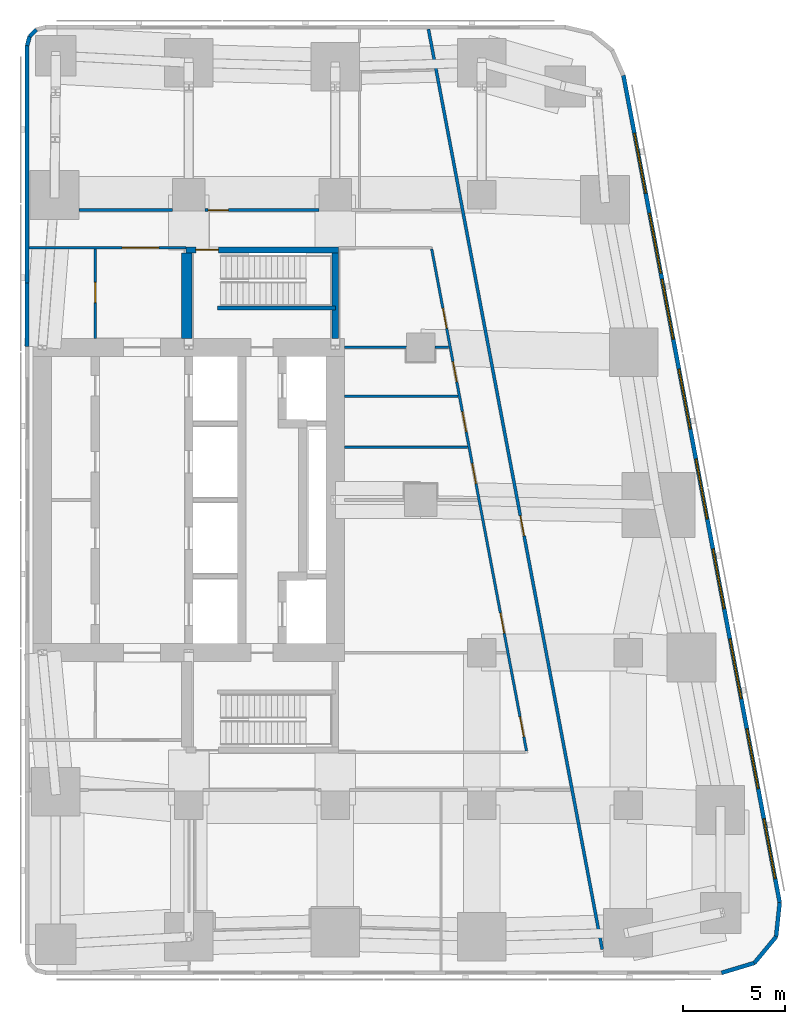
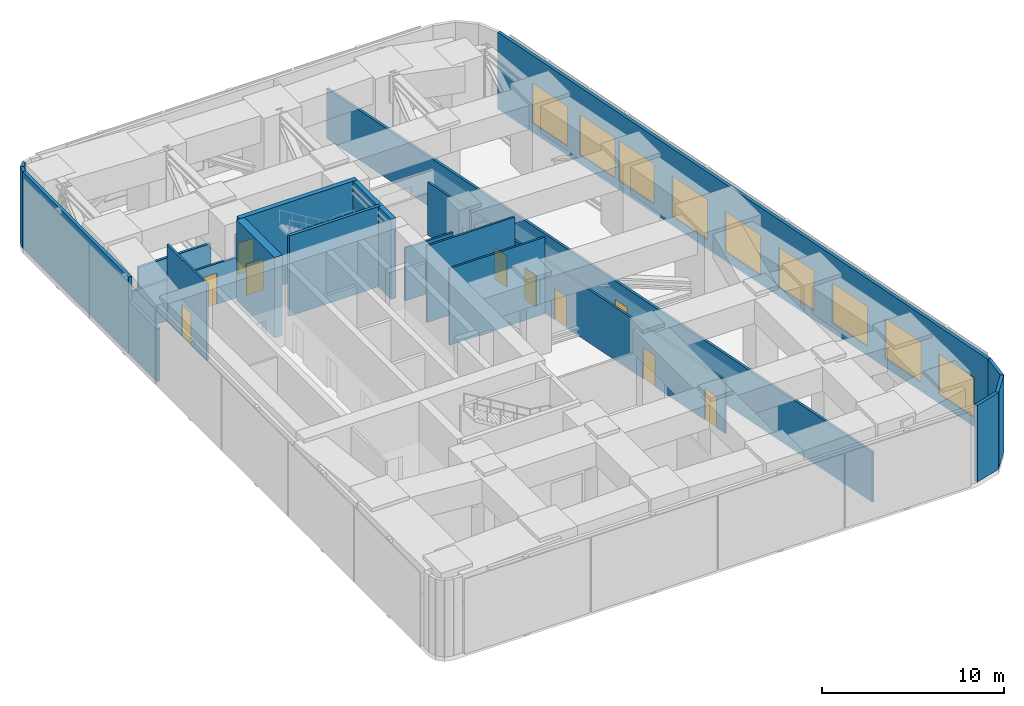
# One storey, part 6 of 9: 22 walls, 11 doors, 9 windows, 20 openings.
"""IFC4 building model written with IfcOpenShell, lengths in metres."""

import ifcopenshell
import ifcopenshell.guid

model = None  # the IFC model being written
_history = None  # IfcOwnerHistory: only IFC2X3 demands one
_inside = {}  # id of a spatial element -> (the spatial element, [elements in it])
_under = {}  # id of a project, library or spatial element -> (it, [spatial elements below it])
_declared = {}  # id of a project -> (the project, [libraries it declares])
_typed = {}  # id of a type object -> (the type object, [elements of that type])
_made_of = {}  # id of a material, layer set ... -> (it, [elements and type objects made of it])


def new_model(schema):
    """Start an empty IFC model of exactly this schema.

    Asked for "IFC4X3", IfcOpenShell would pick the latest addendum, in which some entities
    have other attributes; the version numbers below select the first issue.
    IFC2X3 requires an IfcOwnerHistory on every rooted entity: one is made here for all.
    """
    global model, _history
    if schema == "IFC4X3":
        model = ifcopenshell.file(schema_version=(4, 3, 0, 0))
    else:
        model = ifcopenshell.file(schema=schema)
    _inside.clear()
    _under.clear()
    _declared.clear()
    _typed.clear()
    _made_of.clear()
    _history = None
    if model.schema == "IFC2X3":
        org = make("IfcOrganization", Name="unknown")
        user = make(
            "IfcPersonAndOrganization",
            ThePerson=make("IfcPerson", FamilyName="unknown"),
            TheOrganization=org,
        )
        app = make(
            "IfcApplication",
            ApplicationDeveloper=org,
            Version="unknown",
            ApplicationFullName="unknown",
            ApplicationIdentifier="unknown",
        )
        _history = make(
            "IfcOwnerHistory",
            OwningUser=user,
            OwningApplication=app,
            ChangeAction="ADDED",
            CreationDate=0,
        )
    return model


def make(cls, **values):
    """One entity of the class cls with the attributes given. An attribute that is None is left unset."""
    return model.create_entity(
        cls, **{name: value for name, value in values.items() if value is not None}
    )


def rooted(cls, **values):
    """An entity with a GlobalId (a new one), such as an element, a storey or a relation."""
    return make(cls, GlobalId=ifcopenshell.guid.new(), OwnerHistory=_history, **values)


def si_unit(unit_type, name, prefix=None):
    """IfcSIUnit, for example si_unit("LENGTHUNIT", "METRE", prefix="MILLI")."""
    return make("IfcSIUnit", UnitType=unit_type, Prefix=prefix, Name=name)


def assignment(units):
    """IfcUnitAssignment: the units of a project."""
    return None if units is None else make("IfcUnitAssignment", Units=units)


def point(xyz):
    """IfcCartesianPoint."""
    return None if xyz is None else make("IfcCartesianPoint", Coordinates=xyz)


def direction(xyz):
    """IfcDirection."""
    return None if xyz is None else make("IfcDirection", DirectionRatios=xyz)


def frame(location, z_axis=None, x_axis=None):
    """IfcAxis2Placement3D, a coordinate frame: its origin and axes. An axis left out is left unset."""
    return make(
        "IfcAxis2Placement3D",
        Location=point(location),
        Axis=direction(z_axis),
        RefDirection=direction(x_axis),
    )


def frame_2d(location, x_axis=None):
    """IfcAxis2Placement2D, a coordinate frame in the plane: its origin and x axis."""
    return make(
        "IfcAxis2Placement2D", Location=point(location), RefDirection=direction(x_axis)
    )


def origin():
    """The frame at (0, 0, 0) with its axes left unset."""
    return frame((0.0, 0.0, 0.0))


def place(relative_to, where):
    """IfcLocalPlacement: puts the frame where relative to a parent placement (None: the world)."""
    return make(
        "IfcLocalPlacement", PlacementRelTo=relative_to, RelativePlacement=where
    )


def context(
    kind, dimensions, precision=None, world=None, true_north=None, identifier=None
):
    """IfcGeometricRepresentationContext, for example the 3D "Model" context."""
    return make(
        "IfcGeometricRepresentationContext",
        ContextIdentifier=identifier,
        ContextType=kind,
        CoordinateSpaceDimension=dimensions,
        Precision=precision,
        WorldCoordinateSystem=world,
        TrueNorth=true_north,
    )


def subcontext(parent, identifier, kind, view, scale=None):
    """IfcGeometricRepresentationSubContext, for example "Body" below "Model"."""
    return make(
        "IfcGeometricRepresentationSubContext",
        ContextIdentifier=identifier,
        ContextType=kind,
        ParentContext=parent,
        TargetScale=scale,
        TargetView=view,
    )


def project(units=None, contexts=None):
    """IfcProject with its units and contexts."""
    return rooted(
        "IfcProject",
        Name="project",
        RepresentationContexts=contexts,
        UnitsInContext=assignment(units),
    )


def spatial(cls, under=None, at=None, **own):
    """A site, building, storey or space (cls), placed at a placement, below another one or the project."""
    s = rooted(cls, ObjectPlacement=at, **own)
    if under is not None:
        _under.setdefault(under.id(), (under, []))[1].append(s)
    return s


def profile(cls, at=None, kind="AREA", **sizes):
    """A parametric profile (cls). Its sizes go by their IFC names, for example OverallWidth=200.0."""
    return make(cls, ProfileType=kind, Position=at, **sizes)


def rectangle(**sizes):
    """IfcRectangleProfileDef."""
    return profile("IfcRectangleProfileDef", **sizes)


def extrude(swept, where, along, depth):
    """IfcExtrudedAreaSolid: the profile swept, set in the frame where, extruded along a direction by depth."""
    return make(
        "IfcExtrudedAreaSolid",
        SweptArea=swept,
        Position=where,
        ExtrudedDirection=direction(along),
        Depth=depth,
    )


def shape(context_of_items, identifier, shape_type, items):
    """IfcShapeRepresentation: the items that make up one representation, for example the "Body"."""
    return make(
        "IfcShapeRepresentation",
        ContextOfItems=context_of_items,
        RepresentationIdentifier=identifier,
        RepresentationType=shape_type,
        Items=items,
    )


def material(Name=None, Category=None):
    """IfcMaterial."""
    return make("IfcMaterial", Name=Name, Category=Category)


def layer(
    of_material, thickness, ventilated=None, Name=None, Category=None, Priority=None
):
    """IfcMaterialLayer: one layer of a wall or slab, of a material (None: an air gap)."""
    return make(
        "IfcMaterialLayer",
        Material=of_material,
        LayerThickness=thickness,
        IsVentilated=ventilated,
        Name=Name,
        Category=Category,
        Priority=Priority,
    )


def layer_set(layers, Name=None):
    """IfcMaterialLayerSet."""
    return make("IfcMaterialLayerSet", MaterialLayers=layers, LayerSetName=Name)


def made_of(thing, what):
    """Note that an element or type object is made of a material, layer set ...; save() writes the relation."""
    if what is not None:
        _made_of.setdefault(what.id(), (what, []))[1].append(thing)
    return thing


def type_object(cls, material=None, **own):
    """A type object (cls), such as IfcWallType, which elements share."""
    return made_of(rooted(cls, **own), material)


def element(
    cls,
    number,
    at=None,
    inside=None,
    cuts=None,
    type_object=None,
    material=None,
    context=None,
    identifier="Body",
    shape_type=None,
    held_by="IfcProductDefinitionShape",
    body=None,
    shapes=None,
    **own,
):
    """One element of the class cls, such as IfcWall. Its Tag is "e" and its number.

    at: its placement. inside: the storey or other place that contains it. cuts: it is an
    opening in that element (IfcRelVoidsElement). A single representation is given by context,
    identifier, shape_type and body (its items); several are given by shapes. held_by: the class
    of the entity that holds the representations. save() writes the other relations.
    """
    e = rooted(cls, Tag="e%d" % number, ObjectPlacement=at, **own)
    if body is not None:
        shapes = [shape(context, identifier, shape_type, body)]
    if shapes is not None:
        e.Representation = make(held_by, Representations=shapes)
    if inside is not None:
        _inside.setdefault(inside.id(), (inside, []))[1].append(e)
    if cuts is not None:
        rooted(
            "IfcRelVoidsElement", RelatingBuildingElement=cuts, RelatedOpeningElement=e
        )
    if type_object is not None:
        _typed.setdefault(type_object.id(), (type_object, []))[1].append(e)
    return made_of(e, material)


def fill(opening, filler):
    """IfcRelFillsElement: the door or window that sits in an opening."""
    return rooted(
        "IfcRelFillsElement",
        RelatingOpeningElement=opening,
        RelatedBuildingElement=filler,
    )


def aggregate(whole, parts):
    """IfcRelAggregates: a whole, such as a stair, and the parts it consists of."""
    return rooted("IfcRelAggregates", RelatingObject=whole, RelatedObjects=parts)


def save(model, path):
    """Write the relations noted so far, then the file.

    IfcRelAggregates (storeys below a building ...), IfcRelContainedInSpatialStructure (elements
    in a storey), IfcRelDefinesByType, IfcRelAssociatesMaterial and IfcRelDeclares: one each for
    every whole, place, type object, material and project.
    """
    for whole, parts in _under.values():
        aggregate(whole, parts)
    for where, things in _inside.values():
        rooted(
            "IfcRelContainedInSpatialStructure",
            RelatedElements=things,
            RelatingStructure=where,
        )
    for kind, things in _typed.values():
        rooted("IfcRelDefinesByType", RelatedObjects=things, RelatingType=kind)
    for what, things in _made_of.values():
        rooted("IfcRelAssociatesMaterial", RelatedObjects=things, RelatingMaterial=what)
    for by, libraries in _declared.values():
        rooted("IfcRelDeclares", RelatingContext=by, RelatedDefinitions=libraries)
    model.write(path)


model = new_model("IFC4")

# Units and contexts
model_context = context("Model", 3, precision=1e-05, world=origin(), true_north=direction((0.0, 1.0)))
body_context = subcontext(model_context, "Body", "Model", "MODEL_VIEW")
ifc_project = project(units=[si_unit("LENGTHUNIT", "METRE"), si_unit("AREAUNIT", "SQUARE_METRE"), si_unit("VOLUMEUNIT", "CUBIC_METRE"), si_unit("PLANEANGLEUNIT", "RADIAN"), si_unit("MASSUNIT", "GRAM", prefix="KILO")], contexts=[model_context])

# Site, building, storey
site_placement = place(None, origin())
site = spatial("IfcSite", under=ifc_project, at=site_placement, CompositionType="ELEMENT")
building_placement = place(site_placement, origin())
building = spatial("IfcBuilding", under=site, at=building_placement, Name="Sheger Commons Tower", CompositionType="ELEMENT")
storey_placement = place(building_placement, frame((0.0, 0.0, 246.199951171875)))
storey = spatial("IfcBuildingStorey", under=building, at=storey_placement, Name="L63", CompositionType="ELEMENT", Elevation=246.199951171875)

# Wall
ifc_material_1 = material(Name="Hollow concrete block masonry, skimmed both sides", Category="masonry")
ifc_layer_1 = layer(ifc_material_1, 0.14990234375)
ifc_layer_set_1 = layer_set([ifc_layer_1], Name="CORRIDOR WALL 150")
wall_type_1 = type_object("IfcWallType", Name="CORRIDOR WALL 150", PredefinedType="SOLIDWALL", material=ifc_layer_set_1)
wall_1_placement = place(storey_placement, frame((16.200927734375, 36.75, 0.0), z_axis=(0.0, 0.0, 1.0), x_axis=(1.0, 0.0, 0.0)))
element("IfcWall", 1, at=wall_1_placement, inside=storey, type_object=wall_type_1, Name="Corridor wall L63", PredefinedType="SOLIDWALL", context=body_context, shape_type="SweptSolid", body=[
    extrude(rectangle(XDim=4.59814453125, YDim=0.14990234375, at=frame_2d((2.299072265625, 0.0))), origin(), (0.0, 0.0, 1.0), 2.75),
])

# Wall, opening, door
wall_2_placement = place(storey_placement, frame((22.40087890625, 36.75, 0.0), z_axis=(0.0, 0.0, 1.0), x_axis=(1.0, 0.0, 0.0)))
wall_2 = element("IfcWall", 2, at=wall_2_placement, inside=storey, type_object=wall_type_1, Name="Corridor wall L63", PredefinedType="SOLIDWALL", context=body_context, shape_type="SweptSolid", body=[
    extrude(rectangle(XDim=5.59814453125, YDim=0.14990234375, at=frame_2d((2.799072265625, 0.0))), origin(), (0.0, 0.0, 1.0), 2.75),
])
opening_1_placement = place(wall_2_placement, frame((0.14990234375, 0.0, 0.0)))
opening_1 = element("IfcOpeningElement", 3, at=opening_1_placement, cuts=wall_2, Name="Opening D4", PredefinedType="OPENING", context=body_context, shape_type="SweptSolid", body=[
    extrude(rectangle(XDim=1.0, YDim=2.10009765625, at=frame_2d((0.5, 1.050048828125))), frame((0.0, 0.0849609375, 0.0), z_axis=(0.0, -1.0, 0.0), x_axis=(1.0, 0.0, 0.0)), (0.0, 0.0, 1.0), 0.169921875),
])
ifc_material_2 = material(Name="Steel door set, fire rated", Category="steel")
door_type_1 = type_object("IfcDoorType", Name="SERVICE DOOR 1000x2100", OperationType="NOTDEFINED", PredefinedType="DOOR", material=ifc_material_2)
door_1_placement = place(opening_1_placement, origin())
door_1 = element("IfcDoor", 4, at=door_1_placement, inside=storey, type_object=door_type_1, Name="Refuge area door", OperationType="SINGLE_SWING_LEFT", OverallHeight=2.10009765625, OverallWidth=1.0, PredefinedType="DOOR", context=body_context, shape_type="SweptSolid", body=[
    extrude(rectangle(XDim=1.0, YDim=2.10009765625, at=frame_2d((0.5, 1.050048828125))), frame((0.0, 0.02490234375, 0.0), z_axis=(0.0, -1.0, 0.0), x_axis=(1.0, 0.0, 0.0)), (0.0, 0.0, 1.0), 0.050048828125),
])
fill(opening_1, door_1)

wall_3_placement = place(storey_placement, frame((33.382080078125, 45.64990234375, 0.0), z_axis=(0.0, 0.0, 1.0), x_axis=(0.185582712124, -0.982628646519, 0.0)))
wall_3 = element("IfcWall", 5, at=wall_3_placement, inside=storey, type_object=wall_type_1, Name="Corridor wall L63", PredefinedType="SOLIDWALL", context=body_context, shape_type="SweptSolid", body=[
    extrude(rectangle(XDim=46.043701171875, YDim=0.14990234375, at=frame_2d((23.02197265625, 0.0))), origin(), (0.0, 0.0, 1.0), 3.35009765625),
])
opening_2_placement = place(wall_3_placement, frame((24.35009765625, 0.0, 0.0)))
opening_2 = element("IfcOpeningElement", 6, at=opening_2_placement, cuts=wall_3, Name="Opening D4", PredefinedType="OPENING", context=body_context, shape_type="SweptSolid", body=[
    extrude(rectangle(XDim=1.0, YDim=2.10009765625, at=frame_2d((0.5, 1.050048828125))), frame((0.0, 0.0849609375, 0.0), z_axis=(0.0, -1.0, 0.0), x_axis=(1.0, 0.0, 0.0)), (0.0, 0.0, 1.0), 0.169921875),
])
door_2_placement = place(opening_2_placement, origin())
door_2 = element("IfcDoor", 7, at=door_2_placement, inside=storey, type_object=door_type_1, Name="Refuge area door", OperationType="SINGLE_SWING_RIGHT", OverallHeight=2.10009765625, OverallWidth=1.0, PredefinedType="DOOR", context=body_context, shape_type="SweptSolid", body=[
    extrude(rectangle(XDim=1.0, YDim=2.10009765625, at=frame_2d((0.5, 1.050048828125))), frame((0.0, 0.02490234375, 0.0), z_axis=(0.0, -1.0, 0.0), x_axis=(1.0, 0.0, 0.0)), (0.0, 0.0, 1.0), 0.050048828125),
])
fill(opening_2, door_2)

# Walls
ifc_material_3 = material(Name="Rendered concrete block masonry, dark grey", Category="masonry")
ifc_layer_2 = layer(ifc_material_3, 0.199951171875)
ifc_layer_set_2 = layer_set([ifc_layer_2], Name="FACADE WALL 200")
wall_type_2 = type_object("IfcWallType", Name="FACADE WALL 200", PredefinedType="SOLIDWALL", material=ifc_layer_set_2)
wall_4_placement = place(storey_placement, frame((47.791015625, -0.75, 0.0), z_axis=(0.0, 0.0, 1.0), x_axis=(0.957455232626, 0.288581838509, 0.0)))
element("IfcWall", 8, at=wall_4_placement, inside=storey, type_object=wall_type_2, Name="Facade wall L63", PredefinedType="SOLIDWALL", context=body_context, shape_type="SweptSolid", body=[
    extrude(rectangle(XDim=1.687744140625, YDim=0.199951171875, at=frame_2d((0.84375, 0.0))), origin(), (0.0, 0.0, 1.0), 5.150146484375),
])
wall_5_placement = place(storey_placement, frame((49.406982421875, -0.262939453125, 0.0), z_axis=(0.0, 0.0, 1.0), x_axis=(0.638042593423, 0.770001070764, 0.0)))
element("IfcWall", 9, at=wall_5_placement, inside=storey, type_object=wall_type_2, Name="Facade wall L63", PredefinedType="SOLIDWALL", context=body_context, shape_type="SweptSolid", body=[
    extrude(rectangle(XDim=1.672607421875, YDim=0.199951171875, at=frame_2d((0.83642578125, 0.0))), origin(), (0.0, 0.0, 1.0), 5.150146484375),
])
wall_6_placement = place(storey_placement, frame((50.47412109375, 1.02490234375, 0.0), z_axis=(0.0, 0.0, 1.0), x_axis=(0.106047815515, 0.994361031429, 0.0)))
element("IfcWall", 10, at=wall_6_placement, inside=storey, type_object=wall_type_2, Name="Facade wall L63", PredefinedType="SOLIDWALL", context=body_context, shape_type="SweptSolid", body=[
    extrude(rectangle(XDim=1.6875, YDim=0.199951171875, at=frame_2d((0.84375, 0.0))), origin(), (0.0, 0.0, 1.0), 5.150146484375),
])

# Wall, openings, windows
wall_7_placement = place(storey_placement, frame((50.653076171875, 2.702880859375, 0.0), z_axis=(0.0, 0.0, 1.0), x_axis=(-0.185612026696, 0.982623109613, 0.0)))
wall_7 = element("IfcWall", 11, at=wall_7_placement, inside=storey, type_object=wall_type_2, Name="Facade wall L63", PredefinedType="SOLIDWALL", context=body_context, shape_type="SweptSolid", body=[
    extrude(rectangle(XDim=41.393310546875, YDim=0.199951171875, at=frame_2d((20.69677734375, 0.0))), origin(), (0.0, 0.0, 1.0), 5.150146484375),
])
opening_3_placement = place(wall_7_placement, frame((1.197021484375, 0.0, 0.60009765625)))
opening_3 = element("IfcOpeningElement", 12, at=opening_3_placement, cuts=wall_7, Name="Opening LV2", PredefinedType="OPENING", context=body_context, shape_type="SweptSolid", body=[
    extrude(rectangle(XDim=3.0, YDim=2.699951171875, at=frame_2d((1.5, 1.35009765625))), frame((0.0, 0.10986328125, 0.0), z_axis=(0.0, -1.0, 0.0), x_axis=(1.0, 0.0, 0.0)), (0.0, 0.0, 1.0), 0.219970703125),
])
opening_4_placement = place(wall_7_placement, frame((5.697021484375, 0.0, 0.60009765625)))
opening_4 = element("IfcOpeningElement", 13, at=opening_4_placement, cuts=wall_7, Name="Opening LV2", PredefinedType="OPENING", context=body_context, shape_type="SweptSolid", body=[
    extrude(rectangle(XDim=3.0, YDim=2.699951171875, at=frame_2d((1.5, 1.35009765625))), frame((0.0, 0.10986328125, 0.0), z_axis=(0.0, -1.0, 0.0), x_axis=(1.0, 0.0, 0.0)), (0.0, 0.0, 1.0), 0.219970703125),
])
opening_5_placement = place(wall_7_placement, frame((10.197021484375, 0.0, 0.60009765625)))
opening_5 = element("IfcOpeningElement", 14, at=opening_5_placement, cuts=wall_7, Name="Opening LV2", PredefinedType="OPENING", context=body_context, shape_type="SweptSolid", body=[
    extrude(rectangle(XDim=3.0, YDim=2.699951171875, at=frame_2d((1.5, 1.35009765625))), frame((0.0, 0.10986328125, 0.0), z_axis=(0.0, -1.0, 0.0), x_axis=(1.0, 0.0, 0.0)), (0.0, 0.0, 1.0), 0.219970703125),
])
opening_6_placement = place(wall_7_placement, frame((14.697021484375, 0.0, 0.60009765625)))
opening_6 = element("IfcOpeningElement", 15, at=opening_6_placement, cuts=wall_7, Name="Opening LV2", PredefinedType="OPENING", context=body_context, shape_type="SweptSolid", body=[
    extrude(rectangle(XDim=3.0, YDim=2.699951171875, at=frame_2d((1.5, 1.35009765625))), frame((0.0, 0.10986328125, 0.0), z_axis=(0.0, -1.0, 0.0), x_axis=(1.0, 0.0, 0.0)), (0.0, 0.0, 1.0), 0.219970703125),
])
opening_7_placement = place(wall_7_placement, frame((19.197021484375, 0.0, 0.60009765625)))
opening_7 = element("IfcOpeningElement", 16, at=opening_7_placement, cuts=wall_7, Name="Opening LV2", PredefinedType="OPENING", context=body_context, shape_type="SweptSolid", body=[
    extrude(rectangle(XDim=3.0, YDim=2.699951171875, at=frame_2d((1.5, 1.35009765625))), frame((0.0, 0.10986328125, 0.0), z_axis=(0.0, -1.0, 0.0), x_axis=(1.0, 0.0, 0.0)), (0.0, 0.0, 1.0), 0.219970703125),
])
opening_8_placement = place(wall_7_placement, frame((23.697021484375, 0.0, 0.60009765625)))
opening_8 = element("IfcOpeningElement", 17, at=opening_8_placement, cuts=wall_7, Name="Opening LV2", PredefinedType="OPENING", context=body_context, shape_type="SweptSolid", body=[
    extrude(rectangle(XDim=3.0, YDim=2.699951171875, at=frame_2d((1.5, 1.35009765625))), frame((0.0, 0.10986328125, 0.0), z_axis=(0.0, -1.0, 0.0), x_axis=(1.0, 0.0, 0.0)), (0.0, 0.0, 1.0), 0.219970703125),
])
opening_9_placement = place(wall_7_placement, frame((28.197021484375, 0.0, 0.60009765625)))
opening_9 = element("IfcOpeningElement", 18, at=opening_9_placement, cuts=wall_7, Name="Opening LV2", PredefinedType="OPENING", context=body_context, shape_type="SweptSolid", body=[
    extrude(rectangle(XDim=3.0, YDim=2.699951171875, at=frame_2d((1.5, 1.35009765625))), frame((0.0, 0.10986328125, 0.0), z_axis=(0.0, -1.0, 0.0), x_axis=(1.0, 0.0, 0.0)), (0.0, 0.0, 1.0), 0.219970703125),
])
opening_10_placement = place(wall_7_placement, frame((31.4970703125, 0.0, 0.60009765625)))
opening_10 = element("IfcOpeningElement", 19, at=opening_10_placement, cuts=wall_7, Name="Opening LV2", PredefinedType="OPENING", context=body_context, shape_type="SweptSolid", body=[
    extrude(rectangle(XDim=3.0, YDim=2.699951171875, at=frame_2d((1.5, 1.35009765625))), frame((0.0, 0.10986328125, 0.0), z_axis=(0.0, -1.0, 0.0), x_axis=(1.0, 0.0, 0.0)), (0.0, 0.0, 1.0), 0.219970703125),
])
opening_11_placement = place(wall_7_placement, frame((35.4970703125, 0.0, 0.60009765625)))
opening_11 = element("IfcOpeningElement", 20, at=opening_11_placement, cuts=wall_7, Name="Opening LV2", PredefinedType="OPENING", context=body_context, shape_type="SweptSolid", body=[
    extrude(rectangle(XDim=3.0, YDim=2.699951171875, at=frame_2d((1.5, 1.35009765625))), frame((0.0, 0.10986328125, 0.0), z_axis=(0.0, -1.0, 0.0), x_axis=(1.0, 0.0, 0.0)), (0.0, 0.0, 1.0), 0.219970703125),
])
ifc_material_4 = material(Name="Black aluminium louvre", Category="aluminium")
window_type = type_object("IfcWindowType", Name="REFUGE FLOOR LOUVRE LV2 3000x2700", PartitioningType="SINGLE_PANEL", PredefinedType="USERDEFINED", material=ifc_material_4)
window_1_placement = place(opening_3_placement, origin())
window_1 = element("IfcWindow", 21, at=window_1_placement, inside=storey, type_object=window_type, Name="Refuge Floor Louvre Lv2 3000X2700", ObjectType="LOUVRE", OverallHeight=2.699951171875, OverallWidth=3.0, PartitioningType="SINGLE_PANEL", PredefinedType="USERDEFINED", context=body_context, shape_type="SweptSolid", body=[
    extrude(rectangle(XDim=3.0, YDim=2.699951171875, at=frame_2d((1.5, 1.35009765625))), frame((0.0, 0.030029296875, 0.0), z_axis=(0.0, -1.0, 0.0), x_axis=(1.0, 0.0, 0.0)), (0.0, 0.0, 1.0), 0.06005859375),
])
fill(opening_3, window_1)
window_2_placement = place(opening_4_placement, origin())
window_2 = element("IfcWindow", 22, at=window_2_placement, inside=storey, type_object=window_type, Name="Refuge Floor Louvre Lv2 3000X2700", ObjectType="LOUVRE", OverallHeight=2.699951171875, OverallWidth=3.0, PartitioningType="SINGLE_PANEL", PredefinedType="USERDEFINED", context=body_context, shape_type="SweptSolid", body=[
    extrude(rectangle(XDim=3.0, YDim=2.699951171875, at=frame_2d((1.5, 1.35009765625))), frame((0.0, 0.030029296875, 0.0), z_axis=(0.0, -1.0, 0.0), x_axis=(1.0, 0.0, 0.0)), (0.0, 0.0, 1.0), 0.06005859375),
])
fill(opening_4, window_2)
window_3_placement = place(opening_5_placement, origin())
window_3 = element("IfcWindow", 23, at=window_3_placement, inside=storey, type_object=window_type, Name="Refuge Floor Louvre Lv2 3000X2700", ObjectType="LOUVRE", OverallHeight=2.699951171875, OverallWidth=3.0, PartitioningType="SINGLE_PANEL", PredefinedType="USERDEFINED", context=body_context, shape_type="SweptSolid", body=[
    extrude(rectangle(XDim=3.0, YDim=2.699951171875, at=frame_2d((1.5, 1.35009765625))), frame((0.0, 0.030029296875, 0.0), z_axis=(0.0, -1.0, 0.0), x_axis=(1.0, 0.0, 0.0)), (0.0, 0.0, 1.0), 0.06005859375),
])
fill(opening_5, window_3)
window_4_placement = place(opening_6_placement, origin())
window_4 = element("IfcWindow", 24, at=window_4_placement, inside=storey, type_object=window_type, Name="Refuge Floor Louvre Lv2 3000X2700", ObjectType="LOUVRE", OverallHeight=2.699951171875, OverallWidth=3.0, PartitioningType="SINGLE_PANEL", PredefinedType="USERDEFINED", context=body_context, shape_type="SweptSolid", body=[
    extrude(rectangle(XDim=3.0, YDim=2.699951171875, at=frame_2d((1.5, 1.35009765625))), frame((0.0, 0.030029296875, 0.0), z_axis=(0.0, -1.0, 0.0), x_axis=(1.0, 0.0, 0.0)), (0.0, 0.0, 1.0), 0.06005859375),
])
fill(opening_6, window_4)
window_5_placement = place(opening_7_placement, origin())
window_5 = element("IfcWindow", 25, at=window_5_placement, inside=storey, type_object=window_type, Name="Refuge Floor Louvre Lv2 3000X2700", ObjectType="LOUVRE", OverallHeight=2.699951171875, OverallWidth=3.0, PartitioningType="SINGLE_PANEL", PredefinedType="USERDEFINED", context=body_context, shape_type="SweptSolid", body=[
    extrude(rectangle(XDim=3.0, YDim=2.699951171875, at=frame_2d((1.5, 1.35009765625))), frame((0.0, 0.030029296875, 0.0), z_axis=(0.0, -1.0, 0.0), x_axis=(1.0, 0.0, 0.0)), (0.0, 0.0, 1.0), 0.06005859375),
])
fill(opening_7, window_5)
window_6_placement = place(opening_8_placement, origin())
window_6 = element("IfcWindow", 26, at=window_6_placement, inside=storey, type_object=window_type, Name="Refuge Floor Louvre Lv2 3000X2700", ObjectType="LOUVRE", OverallHeight=2.699951171875, OverallWidth=3.0, PartitioningType="SINGLE_PANEL", PredefinedType="USERDEFINED", context=body_context, shape_type="SweptSolid", body=[
    extrude(rectangle(XDim=3.0, YDim=2.699951171875, at=frame_2d((1.5, 1.35009765625))), frame((0.0, 0.030029296875, 0.0), z_axis=(0.0, -1.0, 0.0), x_axis=(1.0, 0.0, 0.0)), (0.0, 0.0, 1.0), 0.06005859375),
])
fill(opening_8, window_6)
window_7_placement = place(opening_9_placement, origin())
window_7 = element("IfcWindow", 27, at=window_7_placement, inside=storey, type_object=window_type, Name="Refuge Floor Louvre Lv2 3000X2700", ObjectType="LOUVRE", OverallHeight=2.699951171875, OverallWidth=3.0, PartitioningType="SINGLE_PANEL", PredefinedType="USERDEFINED", context=body_context, shape_type="SweptSolid", body=[
    extrude(rectangle(XDim=3.0, YDim=2.699951171875, at=frame_2d((1.5, 1.35009765625))), frame((0.0, 0.030029296875, 0.0), z_axis=(0.0, -1.0, 0.0), x_axis=(1.0, 0.0, 0.0)), (0.0, 0.0, 1.0), 0.06005859375),
])
fill(opening_9, window_7)
window_8_placement = place(opening_10_placement, origin())
window_8 = element("IfcWindow", 28, at=window_8_placement, inside=storey, type_object=window_type, Name="Refuge Floor Louvre Lv2 3000X2700", ObjectType="LOUVRE", OverallHeight=2.699951171875, OverallWidth=3.0, PartitioningType="SINGLE_PANEL", PredefinedType="USERDEFINED", context=body_context, shape_type="SweptSolid", body=[
    extrude(rectangle(XDim=3.0, YDim=2.699951171875, at=frame_2d((1.5, 1.35009765625))), frame((0.0, 0.030029296875, 0.0), z_axis=(0.0, -1.0, 0.0), x_axis=(1.0, 0.0, 0.0)), (0.0, 0.0, 1.0), 0.06005859375),
])
fill(opening_10, window_8)
window_9_placement = place(opening_11_placement, origin())
window_9 = element("IfcWindow", 29, at=window_9_placement, inside=storey, type_object=window_type, Name="Refuge Floor Louvre Lv2 3000X2700", ObjectType="LOUVRE", OverallHeight=2.699951171875, OverallWidth=3.0, PartitioningType="SINGLE_PANEL", PredefinedType="USERDEFINED", context=body_context, shape_type="SweptSolid", body=[
    extrude(rectangle(XDim=3.0, YDim=2.699951171875, at=frame_2d((1.5, 1.35009765625))), frame((0.0, 0.030029296875, 0.0), z_axis=(0.0, -1.0, 0.0), x_axis=(1.0, 0.0, 0.0)), (0.0, 0.0, 1.0), 0.06005859375),
])
fill(opening_11, window_9)

# Walls
wall_8_placement = place(storey_placement, frame((14.10205078125, 45.6259765625, 0.0), z_axis=(0.0, 0.0, 1.0), x_axis=(-0.707369890659, -0.706843573776, 0.0)))
element("IfcWall", 30, at=wall_8_placement, inside=storey, type_object=wall_type_2, Name="Facade wall L63", PredefinedType="SOLIDWALL", context=body_context, shape_type="SweptSolid", body=[
    extrude(rectangle(XDim=0.4638671875, YDim=0.199951171875, at=frame_2d((0.23193359375, 0.0))), origin(), (0.0, 0.0, 1.0), 5.150146484375),
])
wall_9_placement = place(storey_placement, frame((13.77392578125, 45.298095703125, 0.0), z_axis=(0.0, 0.0, 1.0), x_axis=(-0.259698463175, -0.965689757751, 0.0)))
element("IfcWall", 31, at=wall_9_placement, inside=storey, type_object=wall_type_2, Name="Facade wall L63", PredefinedType="SOLIDWALL", context=body_context, shape_type="SweptSolid", body=[
    extrude(rectangle(XDim=0.4775390625, YDim=0.199951171875, at=frame_2d((0.23876953125, 0.0))), origin(), (0.0, 0.0, 1.0), 5.150146484375),
])
wall_10_placement = place(storey_placement, frame((13.64990234375, 44.8369140625, 0.0), z_axis=(0.0, 0.0, 1.0), x_axis=(0.0, -1.0, 0.0)))
element("IfcWall", 32, at=wall_10_placement, inside=storey, type_object=wall_type_2, Name="Facade wall L63", PredefinedType="SOLIDWALL", context=body_context, shape_type="SweptSolid", body=[
    extrude(rectangle(XDim=11.676025390625, YDim=0.199951171875, at=frame_2d((5.837890625, 0.0))), origin(), (0.0, 0.0, 1.0), 5.150146484375),
])
wall_11_placement = place(storey_placement, frame((13.64990234375, 33.160888671875, 0.0), z_axis=(0.0, 0.0, 1.0), x_axis=(0.0, -1.0, 0.0)))
element("IfcWall", 33, at=wall_11_placement, inside=storey, type_object=wall_type_2, Name="Facade wall L63", PredefinedType="SOLIDWALL", context=body_context, shape_type="SweptSolid", body=[
    extrude(rectangle(XDim=3.10888671875, YDim=0.199951171875, at=frame_2d((1.554443359375, 0.0))), origin(), (0.0, 0.0, 1.0), 3.550048828125),
])

# Wall, opening, door
ifc_material_5 = material(Name="Gypsum board on steel studs, two layers each side, fire rated", Category="steel")
ifc_layer_3 = layer(ifc_material_5, 0.125)
ifc_layer_set_3 = layer_set([ifc_layer_3], Name="SERVICE WALL 125")
wall_type_3 = type_object("IfcWallType", Name="SERVICE WALL 125", PredefinedType="PARTITIONING", material=ifc_layer_set_3)
wall_12_placement = place(storey_placement, frame((13.75, 34.89990234375, 0.0), z_axis=(0.0, 0.0, 1.0), x_axis=(1.0, 0.0, 0.0)))
wall_12 = element("IfcWall", 34, at=wall_12_placement, inside=storey, type_object=wall_type_3, Name="Service room wall L63", PredefinedType="PARTITIONING", context=body_context, shape_type="SweptSolid", body=[
    extrude(rectangle(XDim=7.699951171875, YDim=0.125, at=frame_2d((3.85009765625, 0.0))), origin(), (0.0, 0.0, 1.0), 2.75),
])
opening_12_placement = place(wall_12_placement, frame((4.574951171875, 0.0, 0.0)))
opening_12 = element("IfcOpeningElement", 35, at=opening_12_placement, cuts=wall_12, Name="Opening D6", PredefinedType="OPENING", context=body_context, shape_type="SweptSolid", body=[
    extrude(rectangle(XDim=1.800048828125, YDim=2.10009765625, at=frame_2d((0.89990234375, 1.050048828125))), frame((0.0, 0.072509765625, 0.0), z_axis=(0.0, -1.0, 0.0), x_axis=(1.0, 0.0, 0.0)), (0.0, 0.0, 1.0), 0.14501953125),
])
ifc_material_6 = material(Name="Steel door set, fire rated", Category="steel")
door_type_2 = type_object("IfcDoorType", Name="LOBBY DOUBLE DOOR 1800x2100", OperationType="DOUBLE_DOOR_SINGLE_SWING", PredefinedType="DOOR", material=ifc_material_6)
door_3_placement = place(opening_12_placement, origin())
door_3 = element("IfcDoor", 36, at=door_3_placement, inside=storey, type_object=door_type_2, Name="Lift lobby north door", OperationType="DOUBLE_DOOR_SINGLE_SWING", OverallHeight=2.10009765625, OverallWidth=1.800048828125, PredefinedType="DOOR", context=body_context, shape_type="SweptSolid", body=[
    extrude(rectangle(XDim=1.800048828125, YDim=2.10009765625, at=frame_2d((0.89990234375, 1.050048828125))), frame((0.0, 0.02490234375, 0.0), z_axis=(0.0, -1.0, 0.0), x_axis=(1.0, 0.0, 0.0)), (0.0, 0.0, 1.0), 0.050048828125),
])
fill(opening_12, door_3)

wall_13_placement = place(storey_placement, frame((17.0, 30.449951171875, 0.0), z_axis=(0.0, 0.0, 1.0), x_axis=(0.0, 1.0, 0.0)))
wall_13 = element("IfcWall", 37, at=wall_13_placement, inside=storey, type_object=wall_type_3, Name="Service room wall L63", PredefinedType="PARTITIONING", context=body_context, shape_type="SweptSolid", body=[
    extrude(rectangle(XDim=4.386962890625, YDim=0.125, at=frame_2d((2.193359375, 0.0))), origin(), (0.0, 0.0, 1.0), 5.150146484375),
])
opening_13_placement = place(wall_13_placement, frame((1.75, 0.0, 0.0)))
opening_13 = element("IfcOpeningElement", 38, at=opening_13_placement, cuts=wall_13, Name="Opening D4", PredefinedType="OPENING", context=body_context, shape_type="SweptSolid", body=[
    extrude(rectangle(XDim=1.0, YDim=2.10009765625, at=frame_2d((0.5, 1.050048828125))), frame((0.0, 0.072509765625, 0.0), z_axis=(0.0, -1.0, 0.0), x_axis=(1.0, 0.0, 0.0)), (0.0, 0.0, 1.0), 0.14501953125),
])
door_4_placement = place(opening_13_placement, origin())
door_4 = element("IfcDoor", 39, at=door_4_placement, inside=storey, type_object=door_type_1, Name="Telecom switch room door", OperationType="SINGLE_SWING_RIGHT", OverallHeight=2.10009765625, OverallWidth=1.0, PredefinedType="DOOR", context=body_context, shape_type="SweptSolid", body=[
    extrude(rectangle(XDim=1.0, YDim=2.10009765625, at=frame_2d((0.5, 1.050048828125))), frame((0.0, 0.02490234375, 0.0), z_axis=(0.0, -1.0, 0.0), x_axis=(1.0, 0.0, 0.0)), (0.0, 0.0, 1.0), 0.050048828125),
])
fill(opening_13, door_4)

# Wall, openings, doors
wall_14_placement = place(storey_placement, frame((38.201904296875, 10.1630859375, 0.0), z_axis=(0.0, 0.0, 1.0), x_axis=(-0.185610321132, 0.982623431783, 0.0)))
wall_14 = element("IfcWall", 40, at=wall_14_placement, inside=storey, type_object=wall_type_3, Name="Service room wall L63", PredefinedType="PARTITIONING", context=body_context, shape_type="SweptSolid", body=[
    extrude(rectangle(XDim=25.111083984375, YDim=0.125, at=frame_2d((12.5556640625, 0.0))), origin(), (0.0, 0.0, 1.0), 3.550048828125),
])
opening_14_placement = place(wall_14_placement, frame((0.7080078125, 0.0, 0.0)))
opening_14 = element("IfcOpeningElement", 41, at=opening_14_placement, cuts=wall_14, Name="Opening D4", PredefinedType="OPENING", context=body_context, shape_type="SweptSolid", body=[
    extrude(rectangle(XDim=1.0, YDim=2.10009765625, at=frame_2d((0.5, 1.050048828125))), frame((0.0, 0.072509765625, 0.0), z_axis=(0.0, -1.0, 0.0), x_axis=(1.0, 0.0, 0.0)), (0.0, 0.0, 1.0), 0.14501953125),
])
opening_15_placement = place(wall_14_placement, frame((5.89990234375, 0.0, 0.0)))
opening_15 = element("IfcOpeningElement", 42, at=opening_15_placement, cuts=wall_14, Name="Opening D4", PredefinedType="OPENING", context=body_context, shape_type="SweptSolid", body=[
    extrude(rectangle(XDim=1.0, YDim=2.10009765625, at=frame_2d((0.5, 1.050048828125))), frame((0.0, 0.072509765625, 0.0), z_axis=(0.0, -1.0, 0.0), x_axis=(1.0, 0.0, 0.0)), (0.0, 0.0, 1.0), 0.14501953125),
])
opening_16_placement = place(wall_14_placement, frame((21.14990234375, 0.0, 0.0)))
opening_16 = element("IfcOpeningElement", 43, at=opening_16_placement, cuts=wall_14, Name="Opening D4", PredefinedType="OPENING", context=body_context, shape_type="SweptSolid", body=[
    extrude(rectangle(XDim=1.0, YDim=2.10009765625, at=frame_2d((0.5, 1.050048828125))), frame((0.0, 0.072509765625, 0.0), z_axis=(0.0, -1.0, 0.0), x_axis=(1.0, 0.0, 0.0)), (0.0, 0.0, 1.0), 0.14501953125),
])
opening_17_placement = place(wall_14_placement, frame((13.3779296875, 0.0, 0.0)))
opening_17 = element("IfcOpeningElement", 44, at=opening_17_placement, cuts=wall_14, Name="Opening D4", PredefinedType="OPENING", context=body_context, shape_type="SweptSolid", body=[
    extrude(rectangle(XDim=1.0, YDim=2.10009765625, at=frame_2d((0.5, 1.050048828125))), frame((0.0, 0.072509765625, 0.0), z_axis=(0.0, -1.0, 0.0), x_axis=(1.0, 0.0, 0.0)), (0.0, 0.0, 1.0), 0.14501953125),
])
opening_18_placement = place(wall_14_placement, frame((15.972900390625, 0.0, 0.0)))
opening_18 = element("IfcOpeningElement", 45, at=opening_18_placement, cuts=wall_14, Name="Opening D4", PredefinedType="OPENING", context=body_context, shape_type="SweptSolid", body=[
    extrude(rectangle(XDim=1.0, YDim=2.10009765625, at=frame_2d((0.5, 1.050048828125))), frame((0.0, 0.072509765625, 0.0), z_axis=(0.0, -1.0, 0.0), x_axis=(1.0, 0.0, 0.0)), (0.0, 0.0, 1.0), 0.14501953125),
])
opening_19_placement = place(wall_14_placement, frame((18.467041015625, 0.0, 0.0)))
opening_19 = element("IfcOpeningElement", 46, at=opening_19_placement, cuts=wall_14, Name="Opening D4", PredefinedType="OPENING", context=body_context, shape_type="SweptSolid", body=[
    extrude(rectangle(XDim=1.0, YDim=2.10009765625, at=frame_2d((0.5, 1.050048828125))), frame((0.0, 0.072509765625, 0.0), z_axis=(0.0, -1.0, 0.0), x_axis=(1.0, 0.0, 0.0)), (0.0, 0.0, 1.0), 0.14501953125),
])
door_5_placement = place(opening_14_placement, origin())
door_5 = element("IfcDoor", 47, at=door_5_placement, inside=storey, type_object=door_type_1, Name="Community kitchen door", OperationType="SINGLE_SWING_LEFT", OverallHeight=2.10009765625, OverallWidth=1.0, PredefinedType="DOOR", context=body_context, shape_type="SweptSolid", body=[
    extrude(rectangle(XDim=1.0, YDim=2.10009765625, at=frame_2d((0.5, 1.050048828125))), frame((0.0, 0.02490234375, 0.0), z_axis=(0.0, -1.0, 0.0), x_axis=(1.0, 0.0, 0.0)), (0.0, 0.0, 1.0), 0.050048828125),
])
fill(opening_14, door_5)
door_6_placement = place(opening_15_placement, origin())
door_6 = element("IfcDoor", 48, at=door_6_placement, inside=storey, type_object=door_type_1, Name="Refuge area store door", OperationType="SINGLE_SWING_LEFT", OverallHeight=2.10009765625, OverallWidth=1.0, PredefinedType="DOOR", context=body_context, shape_type="SweptSolid", body=[
    extrude(rectangle(XDim=1.0, YDim=2.10009765625, at=frame_2d((0.5, 1.050048828125))), frame((0.0, 0.02490234375, 0.0), z_axis=(0.0, -1.0, 0.0), x_axis=(1.0, 0.0, 0.0)), (0.0, 0.0, 1.0), 0.050048828125),
])
fill(opening_15, door_6)
door_7_placement = place(opening_16_placement, origin())
door_7 = element("IfcDoor", 49, at=door_7_placement, inside=storey, type_object=door_type_1, Name="Store door", OperationType="SINGLE_SWING_LEFT", OverallHeight=2.10009765625, OverallWidth=1.0, PredefinedType="DOOR", context=body_context, shape_type="SweptSolid", body=[
    extrude(rectangle(XDim=1.0, YDim=2.10009765625, at=frame_2d((0.5, 1.050048828125))), frame((0.0, 0.02490234375, 0.0), z_axis=(0.0, -1.0, 0.0), x_axis=(1.0, 0.0, 0.0)), (0.0, 0.0, 1.0), 0.050048828125),
])
fill(opening_16, door_7)
door_8_placement = place(opening_17_placement, origin())
door_8 = element("IfcDoor", 50, at=door_8_placement, inside=storey, type_object=door_type_1, Name="Female WC door", OperationType="SINGLE_SWING_LEFT", OverallHeight=2.10009765625, OverallWidth=1.0, PredefinedType="DOOR", context=body_context, shape_type="SweptSolid", body=[
    extrude(rectangle(XDim=1.0, YDim=2.10009765625, at=frame_2d((0.5, 1.050048828125))), frame((0.0, 0.02490234375, 0.0), z_axis=(0.0, -1.0, 0.0), x_axis=(1.0, 0.0, 0.0)), (0.0, 0.0, 1.0), 0.050048828125),
])
fill(opening_17, door_8)
door_9_placement = place(opening_18_placement, origin())
door_9 = element("IfcDoor", 51, at=door_9_placement, inside=storey, type_object=door_type_1, Name="Male WC door", OperationType="SINGLE_SWING_LEFT", OverallHeight=2.10009765625, OverallWidth=1.0, PredefinedType="DOOR", context=body_context, shape_type="SweptSolid", body=[
    extrude(rectangle(XDim=1.0, YDim=2.10009765625, at=frame_2d((0.5, 1.050048828125))), frame((0.0, 0.02490234375, 0.0), z_axis=(0.0, -1.0, 0.0), x_axis=(1.0, 0.0, 0.0)), (0.0, 0.0, 1.0), 0.050048828125),
])
fill(opening_18, door_9)
door_10_placement = place(opening_19_placement, origin())
door_10 = element("IfcDoor", 52, at=door_10_placement, inside=storey, type_object=door_type_1, Name="Accessible WC door", OperationType="SINGLE_SWING_LEFT", OverallHeight=2.10009765625, OverallWidth=1.0, PredefinedType="DOOR", context=body_context, shape_type="SweptSolid", body=[
    extrude(rectangle(XDim=1.0, YDim=2.10009765625, at=frame_2d((0.5, 1.050048828125))), frame((0.0, 0.02490234375, 0.0), z_axis=(0.0, -1.0, 0.0), x_axis=(1.0, 0.0, 0.0)), (0.0, 0.0, 1.0), 0.050048828125),
])
fill(opening_19, door_10)

# Walls
wall_15_placement = place(storey_placement, frame((29.25, 30.0, 0.0), z_axis=(0.0, 0.0, 1.0), x_axis=(1.0, 0.0, 0.0)))
element("IfcWall", 53, at=wall_15_placement, inside=storey, type_object=wall_type_3, Name="Service room wall L63", PredefinedType="PARTITIONING", context=body_context, shape_type="SweptSolid", body=[
    extrude(rectangle(XDim=3.049072265625, YDim=0.125, at=frame_2d((1.5244140625, 0.0))), origin(), (0.0, 0.0, 1.0), 3.550048828125),
])
wall_16_placement = place(storey_placement, frame((33.700927734375, 30.0, 0.0), z_axis=(0.0, 0.0, 1.0), x_axis=(1.0, 0.0, 0.0)))
element("IfcWall", 54, at=wall_16_placement, inside=storey, type_object=wall_type_3, Name="Service room wall L63", PredefinedType="PARTITIONING", context=body_context, shape_type="SweptSolid", body=[
    extrude(rectangle(XDim=0.677978515625, YDim=0.125, at=frame_2d((0.3388671875, 0.0))), origin(), (0.0, 0.0, 1.0), 3.550048828125),
])
wall_17_placement = place(storey_placement, frame((29.25, 25.10009765625, 0.0), z_axis=(0.0, 0.0, 1.0), x_axis=(1.0, 0.0, 0.0)))
element("IfcWall", 55, at=wall_17_placement, inside=storey, type_object=wall_type_3, Name="Service room wall L63", PredefinedType="PARTITIONING", context=body_context, shape_type="SweptSolid", body=[
    extrude(rectangle(XDim=6.054931640625, YDim=0.125, at=frame_2d((3.02734375, 0.0))), origin(), (0.0, 0.0, 1.0), 5.150146484375),
])
wall_18_placement = place(storey_placement, frame((29.25, 27.60009765625, 0.0), z_axis=(0.0, 0.0, 1.0), x_axis=(1.0, 0.0, 0.0)))
element("IfcWall", 56, at=wall_18_placement, inside=storey, type_object=wall_type_3, Name="Service room wall L63", PredefinedType="PARTITIONING", context=body_context, shape_type="SweptSolid", body=[
    extrude(rectangle(XDim=5.5830078125, YDim=0.125, at=frame_2d((2.79150390625, 0.0))), origin(), (0.0, 0.0, 1.0), 5.150146484375),
])

# Wall, opening, door
ifc_material_7 = material(Name="Concrete C50/60", Category="concrete")
ifc_layer_4 = layer(ifc_material_7, 0.300048828125)
ifc_layer_set_4 = layer_set([ifc_layer_4], Name="STAIR CORE WALL 300")
wall_type_4 = type_object("IfcWallType", Name="STAIR CORE WALL 300", PredefinedType="SHEAR", material=ifc_layer_set_4)
wall_19_placement = place(storey_placement, frame((21.449951171875, 34.800048828125, 0.0), z_axis=(0.0, 0.0, 1.0), x_axis=(1.0, 0.0, 0.0)))
wall_19 = element("IfcWall", 57, at=wall_19_placement, inside=storey, type_object=wall_type_4, Name="STW-L63-S2N", PredefinedType="SHEAR", context=body_context, shape_type="SweptSolid", body=[
    extrude(rectangle(XDim=7.5, YDim=0.300048828125, at=frame_2d((3.75, 0.0))), origin(), (0.0, 0.0, 1.0), 5.400146484375),
])
opening_20_placement = place(wall_19_placement, frame((0.5, 0.0, 0.0)))
opening_20 = element("IfcOpeningElement", 58, at=opening_20_placement, cuts=wall_19, Name="Opening D5", PredefinedType="OPENING", context=body_context, shape_type="SweptSolid", body=[
    extrude(rectangle(XDim=1.10009765625, YDim=2.10009765625, at=frame_2d((0.550048828125, 1.050048828125))), frame((0.0, 0.159912109375, 0.0), z_axis=(0.0, -1.0, 0.0), x_axis=(1.0, 0.0, 0.0)), (0.0, 0.0, 1.0), 0.320068359375),
])
ifc_material_8 = material(Name="Steel door set, fire rated", Category="steel")
door_type_3 = type_object("IfcDoorType", Name="STAIR DOOR 1100x2100", OperationType="NOTDEFINED", PredefinedType="DOOR", material=ifc_material_8)
door_11_placement = place(opening_20_placement, origin())
door_11 = element("IfcDoor", 59, at=door_11_placement, inside=storey, type_object=door_type_3, Name="Stair S2 door", OperationType="SINGLE_SWING_RIGHT", OverallHeight=2.10009765625, OverallWidth=1.10009765625, PredefinedType="DOOR", context=body_context, shape_type="SweptSolid", body=[
    extrude(rectangle(XDim=1.10009765625, YDim=2.10009765625, at=frame_2d((0.550048828125, 1.050048828125))), frame((0.0, 0.02490234375, 0.0), z_axis=(0.0, -1.0, 0.0), x_axis=(1.0, 0.0, 0.0)), (0.0, 0.0, 1.0), 0.050048828125),
])
fill(opening_20, door_11)

# Walls
wall_20_placement = place(storey_placement, frame((28.800048828125, 30.449951171875, 0.0), z_axis=(0.0, 0.0, 1.0), x_axis=(0.0, 1.0, 0.0)))
element("IfcWall", 60, at=wall_20_placement, inside=storey, type_object=wall_type_4, Name="STW-L63-S2E", PredefinedType="SHEAR", context=body_context, shape_type="SweptSolid", body=[
    extrude(rectangle(XDim=4.199951171875, YDim=0.300048828125, at=frame_2d((2.10009765625, 0.0))), origin(), (0.0, 0.0, 1.0), 5.400146484375),
])
ifc_material_9 = material(Name="Concrete C50/60", Category="concrete")
ifc_layer_5 = layer(ifc_material_9, 0.5)
ifc_layer_set_5 = layer_set([ifc_layer_5], Name="STAIR CORE WALL 500")
wall_type_5 = type_object("IfcWallType", Name="STAIR CORE WALL 500", PredefinedType="SHEAR", material=ifc_layer_set_5)
wall_21_placement = place(storey_placement, frame((21.5, 30.449951171875, 0.0), z_axis=(0.0, 0.0, 1.0), x_axis=(0.0, 1.0, 0.0)))
element("IfcWall", 61, at=wall_21_placement, inside=storey, type_object=wall_type_5, Name="STW-L63-S2W", PredefinedType="SHEAR", context=body_context, shape_type="SweptSolid", body=[
    extrude(rectangle(XDim=4.199951171875, YDim=0.5, at=frame_2d((2.10009765625, 0.0))), origin(), (0.0, 0.0, 1.0), 5.400146484375),
])
ifc_material_10 = material(Name="Concrete C50/60", Category="concrete")
ifc_layer_6 = layer(ifc_material_10, 0.199951171875)
ifc_layer_set_6 = layer_set([ifc_layer_6], Name="STAIR SPINE WALL 200")
wall_type_6 = type_object("IfcWallType", Name="STAIR SPINE WALL 200", PredefinedType="SHEAR", material=ifc_layer_set_6)
wall_22_placement = place(storey_placement, frame((23.0, 31.949951171875, 0.0), z_axis=(0.0, 0.0, 1.0), x_axis=(1.0, 0.0, 0.0)))
element("IfcWall", 62, at=wall_22_placement, inside=storey, type_object=wall_type_6, Name="Stair spine wall L63", PredefinedType="SHEAR", context=body_context, shape_type="SweptSolid", body=[
    extrude(rectangle(XDim=5.800048828125, YDim=0.199951171875, at=frame_2d((2.89990234375, 0.0))), origin(), (0.0, 0.0, 1.0), 5.400146484375),
])

save(model, "model.ifc")
